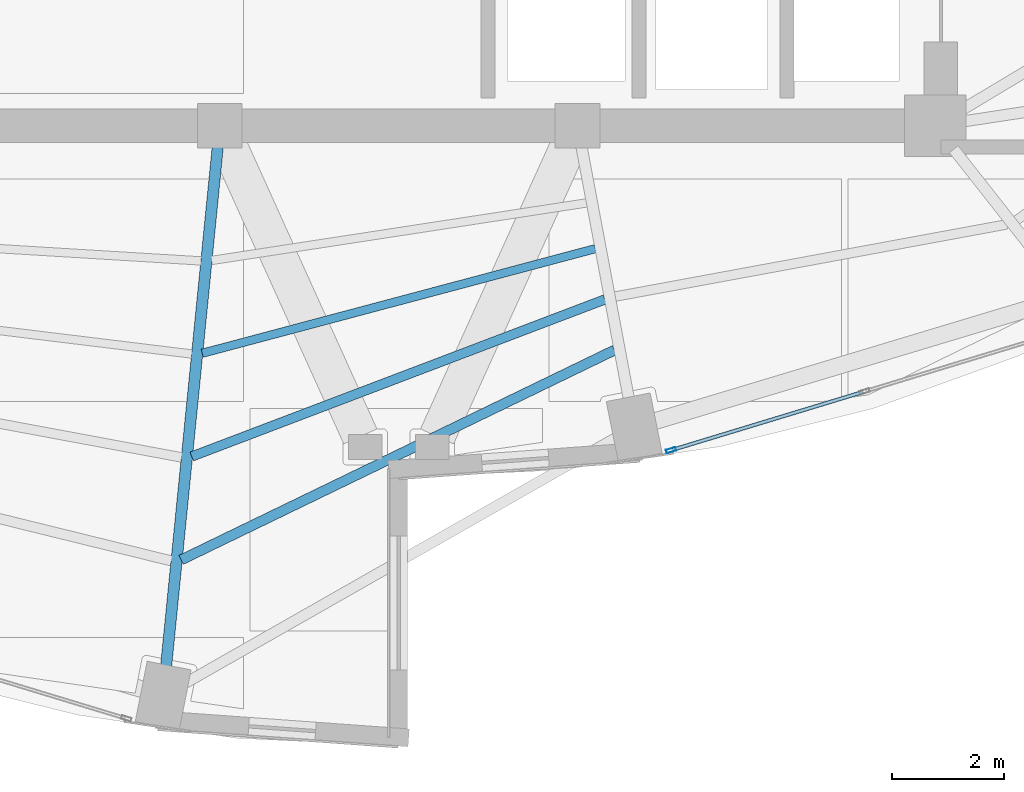
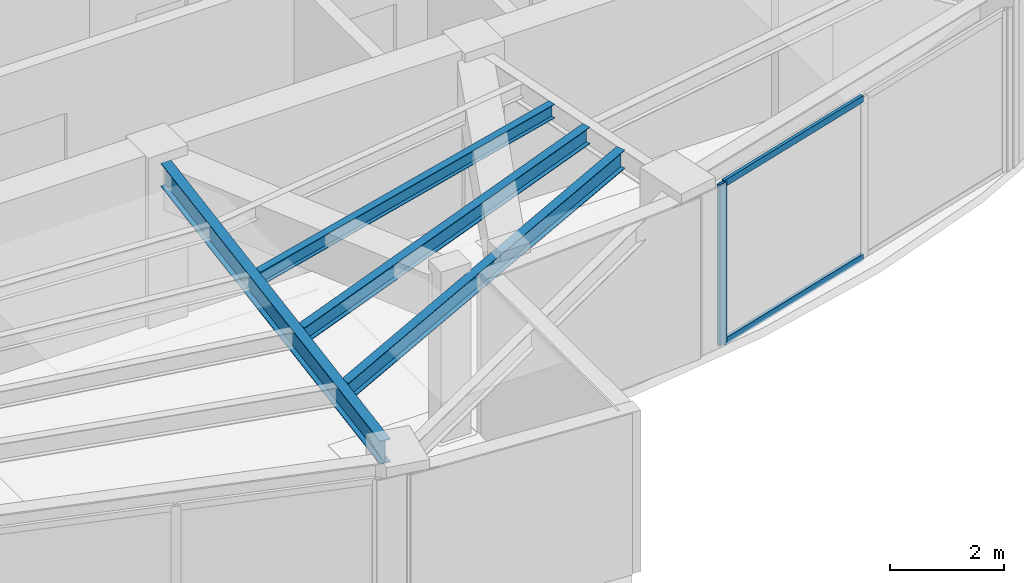
# One storey, part 5 of 22: 4 beams, 3 members, 1 element without a shape of its own.
"""IFC4 building model written with IfcOpenShell, lengths in metres."""

from ifc_helpers import new_model, si_unit, direction, frame, origin, origin_2d, place, context, subcontext, project, spatial, hollow_rectangle, i_section, extrude, material, layer, layer_set, material_profile, profile_set, type_object, element, aggregate, save


model = new_model("IFC4")

# Units and contexts
model_context = context("Model", 3, precision=1e-05, world=origin(), true_north=direction((0.0, 1.0)))
body_context = subcontext(model_context, "Body", "Model", "MODEL_VIEW")
ifc_project = project(units=[si_unit("LENGTHUNIT", "METRE"), si_unit("AREAUNIT", "SQUARE_METRE"), si_unit("VOLUMEUNIT", "CUBIC_METRE"), si_unit("PLANEANGLEUNIT", "RADIAN"), si_unit("MASSUNIT", "GRAM", prefix="KILO")], contexts=[model_context])

# Site, building, storey
site_placement = place(None, origin())
site = spatial("IfcSite", under=ifc_project, at=site_placement, CompositionType="ELEMENT")
building_placement = place(site_placement, origin())
building = spatial("IfcBuilding", under=site, at=building_placement, Name="Lazwardi Medical Tower", CompositionType="ELEMENT")
storey_placement = place(building_placement, frame((0.0, 0.0, 224.01611328125)))
storey = spatial("IfcBuildingStorey", under=building, at=storey_placement, Name="L58", CompositionType="ELEMENT", Elevation=224.01611328125)

# Beams
ifc_material_1 = material(Name="Steel S355", Category="steel")
ifc_material_profile_1 = material_profile(ifc_material_1, i_section(OverallWidth=0.199951171875, OverallDepth=0.5, WebThickness=0.01025390625, FlangeThickness=0.01611328125, at=origin_2d()), Name="IPE 500")
ifc_profile_set_1 = profile_set([ifc_material_profile_1], Name="Steel S355")
beam_type_1 = type_object("IfcBeamType", Name="BM-RG-W3", PredefinedType="BEAM", material=ifc_profile_set_1)
beam_1_placement = place(storey_placement, frame((31.8388671875, 10.734130859375, 3.197998046875), z_axis=(0.098954361922, 0.995091972763, 0.0), x_axis=(-0.995091972763, 0.098954361922, 0.0)))
element("IfcBeam", 1, at=beam_1_placement, inside=storey, type_object=beam_type_1, Name="Radial girder RG-04 R16 L58", PredefinedType="BEAM", context=body_context, shape_type="SweptSolid", body=[
    extrude(i_section(OverallWidth=0.199951171875, OverallDepth=0.5, WebThickness=0.01025390625, FlangeThickness=0.01611328125, at=origin_2d()), origin(), (0.0, 0.0, 1.0), 9.32861328125),
])
ifc_material_profile_2 = material_profile(ifc_material_1, i_section(OverallWidth=0.179931640625, OverallDepth=0.39990234375, WebThickness=0.008544921875, FlangeThickness=0.013427734375, at=origin_2d()), Name="IPE 400")
ifc_profile_set_2 = profile_set([ifc_material_profile_2], Name="Steel S355")
beam_type_2 = type_object("IfcBeamType", Name="BM-SJ-01", PredefinedType="JOIST", material=ifc_profile_set_2)
beam_2_placement = place(storey_placement, frame((32.10888671875, 12.632080078125, 3.247802734375), z_axis=(0.900068885459, 0.435747635024, 0.0), x_axis=(-0.435747635024, 0.900068885459, 0.0)))
element("IfcBeam", 2, at=beam_2_placement, inside=storey, type_object=beam_type_2, Name="Secondary joist SJ-01 R1 B16 L58", PredefinedType="JOIST", context=body_context, shape_type="SweptSolid", body=[
    extrude(i_section(OverallWidth=0.179931640625, OverallDepth=0.39990234375, WebThickness=0.008544921875, FlangeThickness=0.013427734375, at=origin_2d()), origin(), (0.0, 0.0, 1.0), 8.612548828125),
])
ifc_material_profile_3 = material_profile(ifc_material_1, i_section(OverallWidth=0.169921875, OverallDepth=0.360107421875, WebThickness=0.008056640625, FlangeThickness=0.0126953125, at=origin_2d()), Name="IPE 360")
ifc_profile_set_3 = profile_set([ifc_material_profile_3], Name="Steel S355")
beam_type_3 = type_object("IfcBeamType", Name="BM-SJ-02", PredefinedType="JOIST", material=ifc_profile_set_3)
beam_3_placement = place(storey_placement, frame((32.296875, 14.48095703125, 3.267822265625), z_axis=(0.934714470268, 0.355399576633, 0.0), x_axis=(-0.355399576633, 0.934714470268, 0.0)))
element("IfcBeam", 3, at=beam_3_placement, inside=storey, type_object=beam_type_3, Name="Secondary joist SJ-02 R2 B16 L58", PredefinedType="JOIST", context=body_context, shape_type="SweptSolid", body=[
    extrude(i_section(OverallWidth=0.169921875, OverallDepth=0.360107421875, WebThickness=0.008056640625, FlangeThickness=0.0126953125, at=origin_2d()), origin(), (0.0, 0.0, 1.0), 7.908203125),
])
ifc_material_profile_4 = material_profile(ifc_material_1, i_section(OverallWidth=0.14990234375, OverallDepth=0.300048828125, WebThickness=0.007080078125, FlangeThickness=0.0107421875, at=origin_2d()), Name="IPE 300")
ifc_profile_set_4 = profile_set([ifc_material_profile_4], Name="Steel S355")
beam_type_4 = type_object("IfcBeamType", Name="BM-SJ-03", PredefinedType="JOIST", material=ifc_profile_set_4)
beam_4_placement = place(storey_placement, frame((32.484619140625, 16.328125, 3.2978515625), z_axis=(0.966369007826, 0.257159368316, 0.0), x_axis=(-0.257159368316, 0.966369007826, 0.0)))
element("IfcBeam", 4, at=beam_4_placement, inside=storey, type_object=beam_type_4, Name="Secondary joist SJ-03 R3 B16 L58", PredefinedType="JOIST", context=body_context, shape_type="SweptSolid", body=[
    extrude(i_section(OverallWidth=0.14990234375, OverallDepth=0.300048828125, WebThickness=0.007080078125, FlangeThickness=0.0107421875, at=origin_2d()), origin(), (0.0, 0.0, 1.0), 7.27685546875),
])

# Curtain wall, members
ifc_material_2 = material(Name="Anodised bronze aluminium and solar control glazing", Category="aluminium")
ifc_layer = layer(ifc_material_2, 0.18994140625)
ifc_layer_set = layer_set([ifc_layer], Name="Anodised bronze aluminium and solar control glazing")
curtain_wall_type = type_object("IfcCurtainWallType", Name="CW-SYS-04", PredefinedType="NOTDEFINED", material=ifc_layer_set)
curtain_wall_placement = place(storey_placement, origin())
curtain_wall = element("IfcCurtainWall", 5, at=curtain_wall_placement, inside=storey, type_object=curtain_wall_type, Name="L58 Unitised bronze curtain wall CW-04", PredefinedType="NOTDEFINED")
ifc_material_3 = material(Name="Anodised bronze aluminium", Category="aluminium")
ifc_material_profile_5 = material_profile(ifc_material_3, hollow_rectangle(XDim=0.06494140625, YDim=0.179931640625, WallThickness=0.00390625, at=origin_2d()), Name="ALU-MULLION 180x65x4")
ifc_profile_set_5 = profile_set([ifc_material_profile_5], Name="Anodised bronze aluminium")
member_type_1 = type_object("IfcMemberType", Name="CW-MUL-03", PredefinedType="MULLION", material=ifc_profile_set_5)
member_1_placement = place(storey_placement, frame((40.873046875, 14.593017578125, 0.0), z_axis=(0.0, 0.0, 1.0), x_axis=(-0.290581889515, 0.956850126972, 0.0)))
member_1 = element("IfcMember", 6, at=member_1_placement, type_object=member_type_1, Name="CW-04 mullion 1", PredefinedType="MULLION", context=body_context, shape_type="SweptSolid", body=[
    extrude(hollow_rectangle(XDim=0.06494140625, YDim=0.179931640625, WallThickness=0.00390625, at=origin_2d()), origin(), (0.0, 0.0, 1.0), 3.447998046875),
])
ifc_material_profile_6 = material_profile(ifc_material_3, hollow_rectangle(XDim=0.06494140625, YDim=0.139892578125, WallThickness=0.00341796875, at=origin_2d()), Name="ALU-TRANSOM 140x65x3.5")
ifc_profile_set_6 = profile_set([ifc_material_profile_6], Name="Anodised bronze aluminium")
member_type_2 = type_object("IfcMemberType", Name="CW-TRN-03", PredefinedType="USERDEFINED", material=ifc_profile_set_6)
member_2_placement = place(storey_placement, frame((40.904296875, 14.602294921875, 0.032470703125), z_axis=(0.956843409009, 0.290604010015, 0.0), x_axis=(-0.290604010015, 0.956843409009, 0.0)))
member_2 = element("IfcMember", 7, at=member_2_placement, type_object=member_type_2, Name="CW-04 transom 1.1", ObjectType="TRANSOM", PredefinedType="USERDEFINED", context=body_context, shape_type="SweptSolid", body=[
    extrude(hollow_rectangle(XDim=0.06494140625, YDim=0.139892578125, WallThickness=0.00341796875, at=origin_2d()), origin(), (0.0, 0.0, 1.0), 3.554443359375),
])
member_3_placement = place(storey_placement, frame((40.904296875, 14.602294921875, 3.415283203125), z_axis=(0.956843409009, 0.290604010015, 0.0), x_axis=(-0.290604010015, 0.956843409009, 0.0)))
member_3 = element("IfcMember", 8, at=member_3_placement, type_object=member_type_2, Name="CW-04 transom 1.2", ObjectType="TRANSOM", PredefinedType="USERDEFINED", context=body_context, shape_type="SweptSolid", body=[
    extrude(hollow_rectangle(XDim=0.06494140625, YDim=0.139892578125, WallThickness=0.00341796875, at=origin_2d()), origin(), (0.0, 0.0, 1.0), 3.554443359375),
])
aggregate(curtain_wall, [member_1, member_2, member_3])

save(model, "model.ifc")
